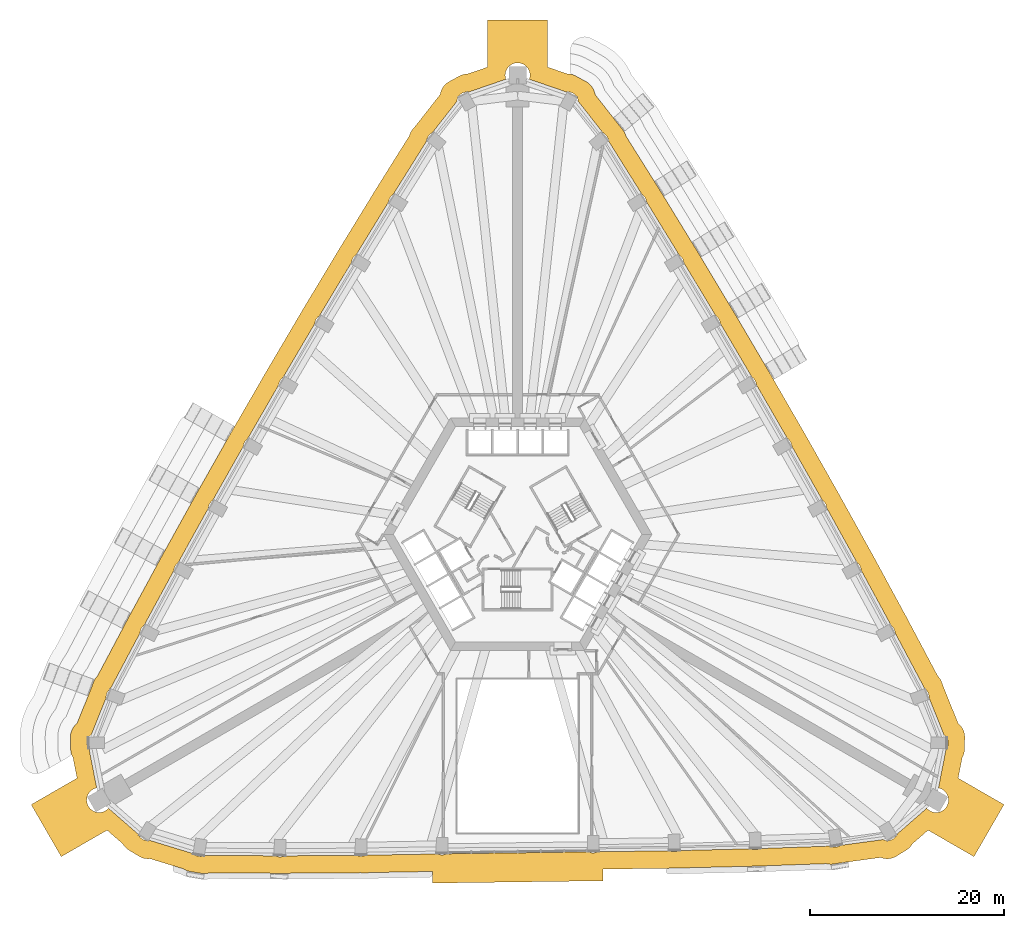
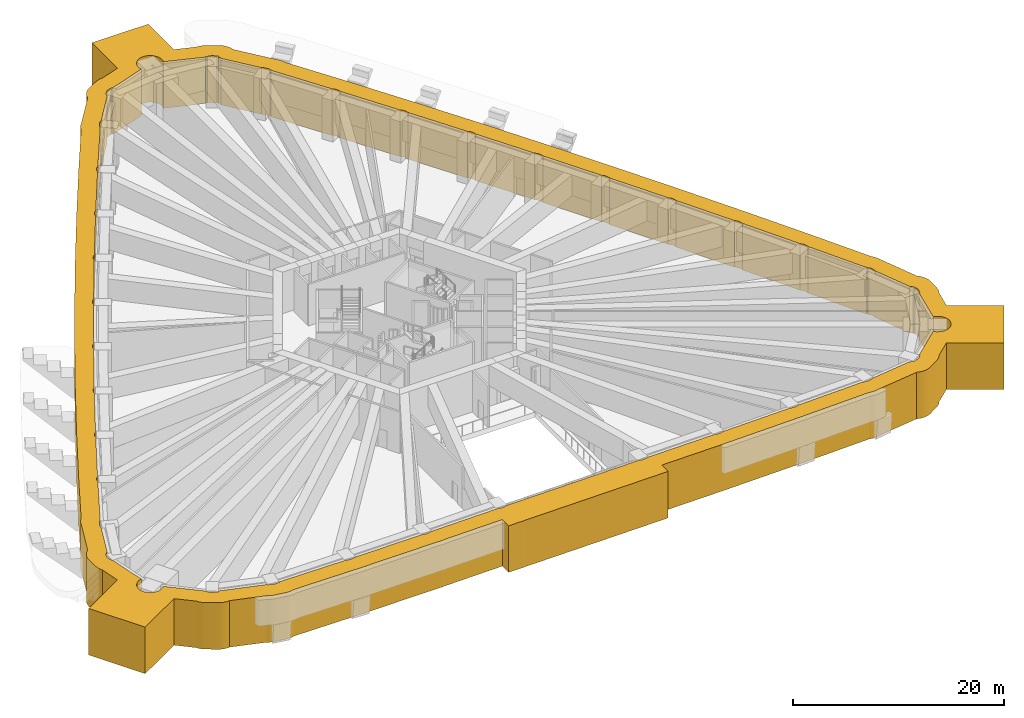
# One storey, part 18 of 21: 1 covering.
"""IFC4 building model written with IfcOpenShell, lengths in metres."""

from ifc_helpers import new_model, si_unit, direction, frame, origin, place, context, subcontext, project, spatial, polyline, outline, extrude, material, type_object, element, save


model = new_model("IFC4")

# Units and contexts
model_context = context("Model", 3, precision=1e-05, world=origin(), true_north=direction((0.0, 1.0)))
body_context = subcontext(model_context, "Body", "Model", "MODEL_VIEW")
ifc_project = project(units=[si_unit("LENGTHUNIT", "METRE"), si_unit("AREAUNIT", "SQUARE_METRE"), si_unit("VOLUMEUNIT", "CUBIC_METRE"), si_unit("PLANEANGLEUNIT", "RADIAN"), si_unit("MASSUNIT", "GRAM", prefix="KILO")], contexts=[model_context])

# Site, building, storey
site_placement = place(None, origin())
site = spatial("IfcSite", under=ifc_project, at=site_placement, CompositionType="ELEMENT")
building_placement = place(site_placement, origin())
building = spatial("IfcBuilding", under=site, at=building_placement, Name="Entoto Arch Interchange Tower", CompositionType="ELEMENT")
storey_placement = place(building_placement, frame((0.0, 0.0, 81.199951171875)))
storey = spatial("IfcBuildingStorey", under=building, at=storey_placement, Name="L17", CompositionType="ELEMENT", Elevation=81.199951171875)

# Covering
ifc_material = material(Name="Board-marked precast concrete C50/60", Category="concrete")
covering_type = type_object("IfcCoveringType", Name="PRECAST FRAME COURSE", PredefinedType="CLADDING", material=ifc_material)
covering_placement = place(storey_placement, frame((0.0, 0.0, -0.599853515625)))
element("IfcCovering", 1, at=covering_placement, inside=storey, type_object=covering_type, Name="Zone frame L17", PredefinedType="CLADDING", context=body_context, shape_type="SweptSolid", body=[
    extrude(outline(polyline([(-45.862060546875, -20.541015625), (-45.8759765625, -20.51806640625), (-45.955078125, -20.360107421875), (-46.01904296875, -20.195068359375), (-46.06591796875, -20.02490234375), (-46.094970703125, -19.85107421875), (-46.10791015625, -19.674072265625), (-46.135009765625, -18.47509765625), (-46.1298828125, -18.298095703125), (-46.10791015625, -18.123046875), (-46.069091796875, -17.950927734375), (-46.013916015625, -17.782958984375), (-45.94189453125, -17.6220703125), (-45.85400390625, -17.468017578125), (-45.751953125, -17.323974609375), (-45.636962890625, -17.18994140625), (-45.509033203125, -17.069091796875), (-45.4541015625, -17.027099609375), (-43.9580078125, -13.31005859375), (-43.757080078125, -12.77099609375), (-43.68798828125, -12.60791015625), (-43.60302734375, -12.4541015625), (-43.5029296875, -12.30810546875), (-43.388916015625, -12.173095703125), (-43.344970703125, -12.1298828125), (-40.60205078125, -6.964111328125), (-40.60009765625, -6.9599609375), (-40.037109375, -5.89990234375), (-40.029052734375, -5.885986328125), (-37.10791015625, -0.510986328125), (-37.10009765625, -0.493896484375), (-36.52587890625, 0.56005859375), (-36.51904296875, 0.572998046875), (-33.556884765625, 5.908935546875), (-33.5419921875, 5.93798828125), (-32.9580078125, 6.987060546875), (-32.951904296875, 6.9970703125), (-29.949951171875, 12.297119140625), (-29.927978515625, 12.341064453125), (-29.3330078125, 13.383056640625), (-29.327880859375, 13.39208984375), (-26.2880859375, 18.652099609375), (-26.257080078125, 18.7109375), (-25.652099609375, 19.7470703125), (-25.64794921875, 19.7529296875), (-22.571044921875, 24.972900390625), (-22.530029296875, 25.049072265625), (-21.9140625, 26.0791015625), (-21.912109375, 26.083984375), (-18.7958984375, 31.261962890625), (-18.7470703125, 31.35302734375), (-18.12109375, 32.376953125), (-18.118896484375, 32.37890625), (-14.969970703125, 37.513916015625), (-14.907958984375, 37.6240234375), (-14.27197265625, 38.64208984375), (-11.16796875, 43.60302734375), (-11.153076171875, 43.662109375), (-11.093017578125, 43.827880859375), (-11.01611328125, 43.987060546875), (-10.925048828125, 44.137939453125), (-10.819091796875, 44.280029296875), (-10.451904296875, 44.722900390625), (-7.98291015625, 47.876953125), (-7.972900390625, 47.946044921875), (-7.931884765625, 48.117919921875), (-7.8740234375, 48.284912109375), (-7.800048828125, 48.445068359375), (-7.7109375, 48.597900390625), (-7.60693359375, 48.739990234375), (-7.489990234375, 48.873046875), (-7.360107421875, 48.992919921875), (-7.218994140625, 49.09912109375), (-7.069091796875, 49.19189453125), (-6.01611328125, 49.76806640625), (-5.85693359375, 49.844970703125), (-5.69189453125, 49.906005859375), (-5.52099609375, 49.950927734375), (-5.345947265625, 49.97900390625), (-5.169921875, 49.989013671875), (-5.14990234375, 49.988037109375), (-3.10009765625, 50.69091796875), (-3.10009765625, 55.552001953125), (3.10009765625, 55.552001953125), (3.10009765625, 50.68994140625), (5.14306640625, 49.988037109375), (5.169921875, 49.989013671875), (5.345947265625, 49.97900390625), (5.52099609375, 49.950927734375), (5.69189453125, 49.906005859375), (5.85693359375, 49.844970703125), (6.01611328125, 49.76806640625), (7.069091796875, 49.19189453125), (7.218994140625, 49.09912109375), (7.360107421875, 48.992919921875), (7.489990234375, 48.873046875), (7.60693359375, 48.739990234375), (7.7109375, 48.597900390625), (7.800048828125, 48.445068359375), (7.8740234375, 48.284912109375), (7.931884765625, 48.117919921875), (7.972900390625, 47.946044921875), (7.98291015625, 47.876953125), (10.451904296875, 44.722900390625), (10.819091796875, 44.280029296875), (10.925048828125, 44.137939453125), (11.01611328125, 43.987060546875), (11.093017578125, 43.827880859375), (11.153076171875, 43.662109375), (11.16796875, 43.60302734375), (14.26904296875, 38.64599609375), (14.27197265625, 38.64208984375), (14.907958984375, 37.6240234375), (14.9169921875, 37.610107421875), (18.111083984375, 32.39111328125), (18.12109375, 32.376953125), (18.7470703125, 31.35302734375), (18.75390625, 31.341064453125), (21.89501953125, 26.10791015625), (21.9140625, 26.0791015625), (22.530029296875, 25.049072265625), (22.535888671875, 25.0390625), (25.625, 19.7880859375), (25.652099609375, 19.7470703125), (26.257080078125, 18.7109375), (26.261962890625, 18.701904296875), (29.297119140625, 13.43994140625), (29.3330078125, 13.383056640625), (29.927978515625, 12.341064453125), (29.930908203125, 12.333984375), (32.9130859375, 7.05908203125), (32.9580078125, 6.987060546875), (33.5419921875, 5.93798828125), (33.544921875, 5.93408203125), (36.470947265625, 0.64990234375), (36.52587890625, 0.56005859375), (37.10009765625, -0.493896484375), (37.10107421875, -0.4970703125), (39.97412109375, -5.7939453125), (40.037109375, -5.89990234375), (40.60009765625, -6.9599609375), (43.344970703125, -12.1298828125), (43.388916015625, -12.173095703125), (43.5029296875, -12.30810546875), (43.60302734375, -12.4541015625), (43.68798828125, -12.60791015625), (43.757080078125, -12.77099609375), (43.9580078125, -13.31005859375), (45.4541015625, -17.027099609375), (45.509033203125, -17.069091796875), (45.636962890625, -17.18994140625), (45.751953125, -17.323974609375), (45.85400390625, -17.468017578125), (45.94189453125, -17.6220703125), (46.013916015625, -17.782958984375), (46.069091796875, -17.950927734375), (46.10791015625, -18.123046875), (46.1298828125, -18.298095703125), (46.135009765625, -18.47509765625), (46.10791015625, -19.674072265625), (46.094970703125, -19.85107421875), (46.06591796875, -20.02490234375), (46.01904296875, -20.195068359375), (45.955078125, -20.360107421875), (45.8759765625, -20.51806640625), (45.865966796875, -20.534912109375), (45.449951171875, -22.660888671875), (50.178955078125, -25.39111328125), (47.0791015625, -30.760986328125), (42.34912109375, -28.030029296875), (40.718994140625, -29.447998046875), (40.7060546875, -29.471923828125), (40.60888671875, -29.6201171875), (40.498046875, -29.757080078125), (40.3740234375, -29.883056640625), (40.238037109375, -29.9951171875), (40.092041015625, -30.094970703125), (39.06591796875, -30.718017578125), (38.910888671875, -30.802001953125), (38.748046875, -30.87109375), (38.5791015625, -30.923095703125), (38.406005859375, -30.9580078125), (38.23095703125, -30.97705078125), (38.053955078125, -30.97802734375), (37.8779296875, -30.9619140625), (37.705078125, -30.927978515625), (37.534912109375, -30.8779296875), (37.4560546875, -30.845947265625), (33.181884765625, -31.427001953125), (32.618896484375, -31.52197265625), (32.444091796875, -31.54296875), (32.26708984375, -31.5458984375), (32.091064453125, -31.532958984375), (31.9169921875, -31.501953125), (31.85693359375, -31.485107421875), (25.212890625, -31.715087890625), (25.199951171875, -31.716064453125), (24.0009765625, -31.756103515625), (23.98291015625, -31.757080078125), (16.841064453125, -31.927001953125), (16.81005859375, -31.928955078125), (15.610107421875, -31.9560546875), (15.594970703125, -31.9560546875), (8.800048828125, -32.049072265625), (8.800048828125, -33.2490234375), (8.508056640625, -33.2529296875), (8.425048828125, -33.258056640625), (7.8330078125, -33.262939453125), (-6.89697265625, -33.4609375), (-6.929931640625, -33.466064453125), (-7.22509765625, -33.47802734375), (-7.785888671875, -33.472900390625), (-8.800048828125, -33.490966796875), (-8.800048828125, -32.291015625), (-15.25, -32.403076171875), (-15.258056640625, -32.405029296875), (-15.43310546875, -32.427001953125), (-15.610107421875, -32.431884765625), (-16.18310546875, -32.4189453125), (-23.635986328125, -32.472900390625), (-23.64892578125, -32.47509765625), (-23.823974609375, -32.4951171875), (-24.0009765625, -32.498046875), (-24.576904296875, -32.47900390625), (-31.7548828125, -32.424072265625), (-31.9169921875, -32.469970703125), (-32.091064453125, -32.5009765625), (-32.26708984375, -32.513916015625), (-32.444091796875, -32.510986328125), (-32.618896484375, -32.489990234375), (-33.802978515625, -32.2900390625), (-33.97509765625, -32.251953125), (-34.14306640625, -32.197021484375), (-34.304931640625, -32.1259765625), (-34.458984375, -32.0400390625), (-34.4970703125, -32.012939453125), (-37.931884765625, -30.967041015625), (-38.053955078125, -30.97802734375), (-38.23095703125, -30.97705078125), (-38.406005859375, -30.9580078125), (-38.5791015625, -30.923095703125), (-38.748046875, -30.87109375), (-38.910888671875, -30.802001953125), (-39.06591796875, -30.718017578125), (-40.092041015625, -30.094970703125), (-40.238037109375, -29.9951171875), (-40.3740234375, -29.883056640625), (-40.498046875, -29.757080078125), (-40.60888671875, -29.6201171875), (-40.7060546875, -29.471923828125), (-40.715087890625, -29.455078125), (-42.35009765625, -28.030029296875), (-47.0791015625, -30.760986328125), (-50.178955078125, -25.39111328125), (-45.448974609375, -22.659912109375), (-45.862060546875, -20.541015625)]), holes=[polyline([(-39.114013671875, -28.4580078125), (-39.10791015625, -28.47607421875), (-39.156982421875, -28.555908203125), (-39.02490234375, -28.635986328125), (-39.012939453125, -28.656982421875), (-38.9541015625, -28.737060546875), (-38.887939453125, -28.81005859375), (-38.81494140625, -28.8759765625), (-38.735107421875, -28.93505859375), (-38.65087890625, -28.985107421875), (-38.56201171875, -29.027099609375), (-38.468994140625, -29.06103515625), (-38.373046875, -29.0849609375), (-38.27587890625, -29.09912109375), (-38.262939453125, -29.10009765625), (-38.131103515625, -29.179931640625), (-38.08203125, -29.09912109375), (-38.077880859375, -29.09912109375), (-37.98095703125, -29.0849609375), (-37.955078125, -29.077880859375), (-33.489990234375, -30.43896484375), (-33.5029296875, -30.514892578125), (-33.35009765625, -30.541015625), (-33.319091796875, -30.56396484375), (-33.235107421875, -30.614013671875), (-33.14599609375, -30.656005859375), (-33.052978515625, -30.68994140625), (-32.95703125, -30.714111328125), (-32.860107421875, -30.72802734375), (-32.760986328125, -30.73291015625), (-32.662109375, -30.72802734375), (-32.56494140625, -30.714111328125), (-32.468994140625, -30.68994140625), (-32.468994140625, -30.68994140625), (-32.319091796875, -30.715087890625), (-32.303955078125, -30.6220703125), (-32.299072265625, -30.6201171875), (-24.964111328125, -30.676025390625), (-24.89501953125, -30.7080078125), (-24.802001953125, -30.741943359375), (-24.7060546875, -30.76611328125), (-24.60888671875, -30.780029296875), (-24.510009765625, -30.784912109375), (-24.410888671875, -30.780029296875), (-24.31396484375, -30.76611328125), (-24.218017578125, -30.741943359375), (-24.125, -30.7080078125), (-24.094970703125, -30.694091796875), (-23.93994140625, -30.698974609375), (-23.93994140625, -30.675048828125), (-16.589111328125, -30.6220703125), (-16.534912109375, -30.64697265625), (-16.44189453125, -30.680908203125), (-16.345947265625, -30.705078125), (-16.2490234375, -30.718994140625), (-16.14990234375, -30.72412109375), (-16.051025390625, -30.718994140625), (-15.9541015625, -30.705078125), (-15.85791015625, -30.680908203125), (-15.764892578125, -30.64697265625), (-15.72607421875, -30.62890625), (-15.570068359375, -30.632080078125), (-15.570068359375, -30.60888671875), (-8.221923828125, -30.47998046875), (-8.177978515625, -30.5009765625), (-8.0849609375, -30.534912109375), (-7.989013671875, -30.55908203125), (-7.89208984375, -30.572998046875), (-7.79296875, -30.577880859375), (-7.694091796875, -30.572998046875), (-7.596923828125, -30.55908203125), (-7.5009765625, -30.534912109375), (-7.407958984375, -30.5009765625), (-7.35595703125, -30.47705078125), (-7.199951171875, -30.47802734375), (-7.199951171875, -30.465087890625), (7.361083984375, -30.26904296875), (7.407958984375, -30.291015625), (7.5009765625, -30.324951171875), (7.596923828125, -30.34912109375), (7.694091796875, -30.363037109375), (7.79296875, -30.367919921875), (7.89208984375, -30.363037109375), (7.989013671875, -30.34912109375), (8.0849609375, -30.324951171875), (8.177978515625, -30.291015625), (8.24609375, -30.259033203125), (8.39990234375, -30.258056640625), (8.39990234375, -30.25390625), (15.570068359375, -30.152099609375), (15.570068359375, -30.156005859375), (15.72607421875, -30.153076171875), (15.764892578125, -30.1708984375), (15.85791015625, -30.205078125), (15.9541015625, -30.22900390625), (16.051025390625, -30.242919921875), (16.14990234375, -30.248046875), (16.2490234375, -30.242919921875), (16.345947265625, -30.22900390625), (16.44189453125, -30.205078125), (16.534912109375, -30.1708984375), (16.615966796875, -30.133056640625), (16.77001953125, -30.1298828125), (16.77001953125, -30.1279296875), (23.93994140625, -29.951904296875), (23.93994140625, -29.95703125), (24.094970703125, -29.951904296875), (24.125, -29.966064453125), (24.218017578125, -30.0), (24.31396484375, -30.02392578125), (24.410888671875, -30.0380859375), (24.510009765625, -30.04296875), (24.60888671875, -30.0380859375), (24.7060546875, -30.02392578125), (24.802001953125, -30.0), (24.89501953125, -29.966064453125), (24.98388671875, -29.924072265625), (24.988037109375, -29.922119140625), (25.139892578125, -29.9169921875), (25.139892578125, -29.916015625), (32.305908203125, -29.66796875), (32.319091796875, -29.7470703125), (32.468994140625, -29.721923828125), (32.468994140625, -29.721923828125), (32.56494140625, -29.74609375), (32.662109375, -29.760009765625), (32.760986328125, -29.764892578125), (32.860107421875, -29.760009765625), (32.95703125, -29.74609375), (33.052978515625, -29.721923828125), (33.14599609375, -29.68798828125), (33.235107421875, -29.64599609375), (33.319091796875, -29.595947265625), (33.325927734375, -29.591064453125), (37.719970703125, -28.992919921875), (37.7919921875, -29.027099609375), (37.885009765625, -29.06103515625), (37.98095703125, -29.0849609375), (38.077880859375, -29.09912109375), (38.08203125, -29.09912109375), (38.131103515625, -29.179931640625), (38.262939453125, -29.10009765625), (38.27587890625, -29.09912109375), (38.373046875, -29.0849609375), (38.468994140625, -29.06103515625), (38.56201171875, -29.027099609375), (38.65087890625, -28.985107421875), (38.735107421875, -28.93505859375), (38.81494140625, -28.8759765625), (38.887939453125, -28.81005859375), (38.9541015625, -28.737060546875), (39.012939453125, -28.656982421875), (39.02490234375, -28.635986328125), (39.156982421875, -28.555908203125), (39.10791015625, -28.47607421875), (39.114013671875, -28.4580078125), (42.2099609375, -25.763916015625), (42.26904296875, -25.830078125), (42.362060546875, -25.9140625), (42.462890625, -25.988037109375), (42.571044921875, -26.052978515625), (42.68408203125, -26.10693359375), (42.802001953125, -26.14892578125), (42.924072265625, -26.178955078125), (43.048095703125, -26.197998046875), (43.173095703125, -26.2041015625), (43.298095703125, -26.197998046875), (43.422119140625, -26.178955078125), (43.5439453125, -26.14892578125), (43.662109375, -26.10693359375), (43.77490234375, -26.052978515625), (43.883056640625, -25.988037109375), (43.98388671875, -25.9140625), (44.076904296875, -25.830078125), (44.160888671875, -25.737060546875), (44.235107421875, -25.635986328125), (44.300048828125, -25.528076171875), (44.35400390625, -25.4150390625), (44.39599609375, -25.297119140625), (44.426025390625, -25.175048828125), (44.445068359375, -25.051025390625), (44.450927734375, -24.926025390625), (44.445068359375, -24.801025390625), (44.426025390625, -24.677001953125), (44.39599609375, -24.554931640625), (44.35400390625, -24.43701171875), (44.300048828125, -24.323974609375), (44.235107421875, -24.216064453125), (44.160888671875, -24.114990234375), (44.076904296875, -24.02197265625), (43.98388671875, -23.93798828125), (43.883056640625, -23.864013671875), (43.77490234375, -23.799072265625), (43.662109375, -23.7451171875), (43.5439453125, -23.702880859375), (43.422119140625, -23.673095703125), (43.41796875, -23.672119140625), (44.202880859375, -19.64697265625), (44.214111328125, -19.632080078125), (44.30810546875, -19.634033203125), (44.31201171875, -19.47998046875), (44.35009765625, -19.39892578125), (44.384033203125, -19.305908203125), (44.407958984375, -19.2099609375), (44.422119140625, -19.113037109375), (44.427001953125, -19.013916015625), (44.422119140625, -18.9150390625), (44.407958984375, -18.818115234375), (44.384033203125, -18.721923828125), (44.35009765625, -18.62890625), (44.33203125, -18.590087890625), (44.3359375, -18.43408203125), (44.239990234375, -18.431884765625), (44.198974609375, -18.3759765625), (44.133056640625, -18.302978515625), (44.06005859375, -18.237060546875), (43.97998046875, -18.177978515625), (43.97705078125, -18.176025390625), (42.43603515625, -14.35009765625), (42.43994140625, -14.27294921875), (42.43505859375, -14.174072265625), (42.4208984375, -14.076904296875), (42.39697265625, -13.98095703125), (42.363037109375, -13.887939453125), (42.321044921875, -13.799072265625), (42.27099609375, -13.715087890625), (42.2119140625, -13.635009765625), (42.14599609375, -13.56201171875), (42.1240234375, -13.54296875), (42.070068359375, -13.39794921875), (41.9951171875, -13.425048828125), (39.010009765625, -7.804931640625), (39.010986328125, -7.804931640625), (38.93798828125, -7.6669921875), (38.93408203125, -7.597900390625), (38.919921875, -7.5009765625), (38.89599609375, -7.405029296875), (38.862060546875, -7.31201171875), (38.820068359375, -7.222900390625), (38.77001953125, -7.138916015625), (38.7109375, -7.05908203125), (38.64501953125, -6.986083984375), (38.572021484375, -6.919921875), (38.52001953125, -6.882080078125), (38.447021484375, -6.7451171875), (38.443115234375, -6.748046875), (35.51806640625, -1.35498046875), (35.51904296875, -1.35498046875), (35.445068359375, -1.218994140625), (35.44189453125, -1.158935546875), (35.427978515625, -1.06201171875), (35.404052734375, -0.966064453125), (35.3701171875, -0.873046875), (35.327880859375, -0.783935546875), (35.278076171875, -0.699951171875), (35.218994140625, -0.6201171875), (35.153076171875, -0.547119140625), (35.080078125, -0.48095703125), (35.01904296875, -0.43603515625), (34.945068359375, -0.301025390625), (34.94091796875, -0.302978515625), (31.968994140625, 5.06103515625), (31.969970703125, 5.06201171875), (31.89501953125, 5.197998046875), (31.89208984375, 5.2470703125), (31.8779296875, 5.343994140625), (31.85400390625, 5.43994140625), (31.820068359375, 5.532958984375), (31.778076171875, 5.6220703125), (31.72802734375, 5.7060546875), (31.6689453125, 5.785888671875), (31.60302734375, 5.85888671875), (31.530029296875, 5.925048828125), (31.4609375, 5.97607421875), (31.385986328125, 6.110107421875), (31.383056640625, 6.10791015625), (28.362060546875, 11.447998046875), (28.364013671875, 11.448974609375), (28.287109375, 11.583984375), (28.284912109375, 11.623046875), (28.27099609375, 11.719970703125), (28.2470703125, 11.81591796875), (28.212890625, 11.908935546875), (28.1708984375, 11.998046875), (28.12109375, 12.08203125), (28.06201171875, 12.162109375), (27.99609375, 12.235107421875), (27.923095703125, 12.301025390625), (27.845947265625, 12.35791015625), (27.77001953125, 12.490966796875), (27.76708984375, 12.489990234375), (24.699951171875, 17.801025390625), (24.702880859375, 17.802978515625), (24.625, 17.93603515625), (24.623046875, 17.966064453125), (24.60888671875, 18.06298828125), (24.5849609375, 18.158935546875), (24.551025390625, 18.251953125), (24.509033203125, 18.341064453125), (24.458984375, 18.425048828125), (24.39990234375, 18.5048828125), (24.333984375, 18.577880859375), (24.260986328125, 18.64404296875), (24.180908203125, 18.702880859375), (24.175048828125, 18.70703125), (24.096923828125, 18.839111328125), (24.094970703125, 18.837890625), (20.98193359375, 24.1240234375), (20.985107421875, 24.1259765625), (20.905029296875, 24.259033203125), (20.904052734375, 24.278076171875), (20.889892578125, 24.375), (20.865966796875, 24.470947265625), (20.83203125, 24.56396484375), (20.7900390625, 24.653076171875), (20.739990234375, 24.737060546875), (20.680908203125, 24.81689453125), (20.614990234375, 24.889892578125), (20.5419921875, 24.9560546875), (20.4619140625, 25.014892578125), (20.448974609375, 25.02294921875), (20.368896484375, 25.156005859375), (20.367919921875, 25.155029296875), (17.20703125, 30.412109375), (17.2109375, 30.4140625), (17.131103515625, 30.544921875), (17.1298828125, 30.555908203125), (17.115966796875, 30.653076171875), (17.092041015625, 30.7490234375), (17.05810546875, 30.842041015625), (17.01611328125, 30.930908203125), (16.966064453125, 31.014892578125), (16.906982421875, 31.094970703125), (16.841064453125, 31.16796875), (16.76806640625, 31.23388671875), (16.68798828125, 31.29296875), (16.666015625, 31.305908203125), (16.5849609375, 31.43798828125), (16.583984375, 31.43798828125), (13.3779296875, 36.6669921875), (13.382080078125, 36.669921875), (13.301025390625, 36.800048828125), (13.301025390625, 36.801025390625), (13.287109375, 36.89794921875), (13.262939453125, 36.993896484375), (13.22900390625, 37.0869140625), (13.18701171875, 37.176025390625), (13.136962890625, 37.260009765625), (13.077880859375, 37.340087890625), (13.011962890625, 37.4130859375), (12.93896484375, 37.47900390625), (12.85888671875, 37.5380859375), (12.827880859375, 37.555908203125), (12.74609375, 37.68798828125), (12.74609375, 37.68798828125), (9.37109375, 43.0810546875), (9.43310546875, 43.132080078125), (9.333984375, 43.2509765625), (9.319091796875, 43.31201171875), (9.284912109375, 43.405029296875), (9.242919921875, 43.493896484375), (9.193115234375, 43.577880859375), (9.134033203125, 43.657958984375), (9.068115234375, 43.73095703125), (8.9951171875, 43.797119140625), (8.9150390625, 43.85595703125), (8.8310546875, 43.906005859375), (8.791015625, 43.925048828125), (6.248046875, 47.173095703125), (6.24609375, 47.2109375), (6.23193359375, 47.30810546875), (6.2080078125, 47.404052734375), (6.174072265625, 47.4970703125), (6.158935546875, 47.530029296875), (6.2041015625, 47.613037109375), (6.070068359375, 47.68701171875), (6.02294921875, 47.75), (5.95703125, 47.822998046875), (5.884033203125, 47.888916015625), (5.803955078125, 47.947998046875), (5.719970703125, 47.998046875), (5.631103515625, 48.0400390625), (5.5380859375, 48.073974609375), (5.44189453125, 48.097900390625), (5.344970703125, 48.112060546875), (5.287109375, 48.114990234375), (5.152099609375, 48.18896484375), (5.10595703125, 48.10595703125), (5.089111328125, 48.10302734375), (1.20703125, 49.43701171875), (1.222900390625, 49.48095703125), (1.2529296875, 49.60302734375), (1.27197265625, 49.72705078125), (1.278076171875, 49.85205078125), (1.27197265625, 49.97705078125), (1.2529296875, 50.10107421875), (1.222900390625, 50.222900390625), (1.180908203125, 50.341064453125), (1.126953125, 50.4541015625), (1.06201171875, 50.56201171875), (0.988037109375, 50.6630859375), (0.904052734375, 50.756103515625), (0.81103515625, 50.840087890625), (0.7099609375, 50.9140625), (0.60205078125, 50.97900390625), (0.489013671875, 51.032958984375), (0.37109375, 51.074951171875), (0.2490234375, 51.10498046875), (0.125, 51.1240234375), (0.0, 51.1298828125), (-0.125, 51.1240234375), (-0.2490234375, 51.10498046875), (-0.37109375, 51.074951171875), (-0.489013671875, 51.032958984375), (-0.60205078125, 50.97900390625), (-0.7099609375, 50.9140625), (-0.81103515625, 50.840087890625), (-0.904052734375, 50.756103515625), (-0.988037109375, 50.6630859375), (-1.06201171875, 50.56201171875), (-1.126953125, 50.4541015625), (-1.180908203125, 50.341064453125), (-1.222900390625, 50.222900390625), (-1.2529296875, 50.10107421875), (-1.27197265625, 49.97705078125), (-1.278076171875, 49.85205078125), (-1.27197265625, 49.72705078125), (-1.2529296875, 49.60302734375), (-1.222900390625, 49.48095703125), (-1.20703125, 49.43701171875), (-5.089111328125, 48.10302734375), (-5.10595703125, 48.10595703125), (-5.152099609375, 48.18896484375), (-5.287109375, 48.114990234375), (-5.344970703125, 48.112060546875), (-5.44189453125, 48.097900390625), (-5.5380859375, 48.073974609375), (-5.631103515625, 48.0400390625), (-5.719970703125, 47.998046875), (-5.803955078125, 47.947998046875), (-5.884033203125, 47.888916015625), (-5.95703125, 47.822998046875), (-6.02294921875, 47.75), (-6.070068359375, 47.68701171875), (-6.2041015625, 47.613037109375), (-6.158935546875, 47.530029296875), (-6.174072265625, 47.4970703125), (-6.2080078125, 47.404052734375), (-6.23193359375, 47.30810546875), (-6.24609375, 47.2109375), (-6.248046875, 47.173095703125), (-8.791015625, 43.925048828125), (-8.8310546875, 43.906005859375), (-8.9150390625, 43.85595703125), (-8.9951171875, 43.797119140625), (-9.068115234375, 43.73095703125), (-9.134033203125, 43.657958984375), (-9.193115234375, 43.577880859375), (-9.242919921875, 43.493896484375), (-9.284912109375, 43.405029296875), (-9.319091796875, 43.31201171875), (-9.333984375, 43.2509765625), (-9.43310546875, 43.132080078125), (-9.37109375, 43.0810546875), (-12.74609375, 37.68798828125), (-12.74609375, 37.68798828125), (-12.827880859375, 37.555908203125), (-12.85888671875, 37.5380859375), (-12.93896484375, 37.47900390625), (-13.011962890625, 37.4130859375), (-13.077880859375, 37.340087890625), (-13.136962890625, 37.260009765625), (-13.18701171875, 37.176025390625), (-13.22900390625, 37.0869140625), (-13.262939453125, 36.993896484375), (-13.287109375, 36.89794921875), (-13.301025390625, 36.801025390625), (-13.301025390625, 36.800048828125), (-13.382080078125, 36.669921875), (-13.3779296875, 36.6669921875), (-16.583984375, 31.43798828125), (-16.5849609375, 31.43798828125), (-16.666015625, 31.305908203125), (-16.68798828125, 31.29296875), (-16.76806640625, 31.23388671875), (-16.841064453125, 31.16796875), (-16.906982421875, 31.094970703125), (-16.966064453125, 31.014892578125), (-17.01611328125, 30.930908203125), (-17.05810546875, 30.842041015625), (-17.092041015625, 30.7490234375), (-17.115966796875, 30.653076171875), (-17.1298828125, 30.555908203125), (-17.131103515625, 30.544921875), (-17.2109375, 30.4140625), (-17.20703125, 30.412109375), (-20.367919921875, 25.155029296875), (-20.368896484375, 25.156005859375), (-20.448974609375, 25.02294921875), (-20.4619140625, 25.014892578125), (-20.5419921875, 24.9560546875), (-20.614990234375, 24.889892578125), (-20.680908203125, 24.81689453125), (-20.739990234375, 24.737060546875), (-20.7900390625, 24.653076171875), (-20.83203125, 24.56396484375), (-20.865966796875, 24.470947265625), (-20.889892578125, 24.375), (-20.904052734375, 24.278076171875), (-20.905029296875, 24.259033203125), (-20.985107421875, 24.1259765625), (-20.98193359375, 24.1240234375), (-24.094970703125, 18.837890625), (-24.096923828125, 18.839111328125), (-24.175048828125, 18.70703125), (-24.180908203125, 18.702880859375), (-24.260986328125, 18.64404296875), (-24.333984375, 18.577880859375), (-24.39990234375, 18.5048828125), (-24.458984375, 18.425048828125), (-24.509033203125, 18.341064453125), (-24.551025390625, 18.251953125), (-24.5849609375, 18.158935546875), (-24.60888671875, 18.06298828125), (-24.623046875, 17.966064453125), (-24.625, 17.93603515625), (-24.702880859375, 17.802978515625), (-24.699951171875, 17.801025390625), (-27.76708984375, 12.489990234375), (-27.77001953125, 12.490966796875), (-27.845947265625, 12.35791015625), (-27.923095703125, 12.301025390625), (-27.99609375, 12.235107421875), (-28.06201171875, 12.162109375), (-28.12109375, 12.08203125), (-28.1708984375, 11.998046875), (-28.212890625, 11.908935546875), (-28.2470703125, 11.81591796875), (-28.27099609375, 11.719970703125), (-28.284912109375, 11.623046875), (-28.287109375, 11.583984375), (-28.364013671875, 11.448974609375), (-28.362060546875, 11.447998046875), (-31.383056640625, 6.10791015625), (-31.385986328125, 6.110107421875), (-31.4609375, 5.97607421875), (-31.530029296875, 5.925048828125), (-31.60302734375, 5.85888671875), (-31.6689453125, 5.785888671875), (-31.72802734375, 5.7060546875), (-31.778076171875, 5.6220703125), (-31.820068359375, 5.532958984375), (-31.85400390625, 5.43994140625), (-31.8779296875, 5.343994140625), (-31.89208984375, 5.2470703125), (-31.89501953125, 5.197998046875), (-31.969970703125, 5.06201171875), (-31.968994140625, 5.06103515625), (-34.94091796875, -0.302978515625), (-34.945068359375, -0.301025390625), (-35.01904296875, -0.43603515625), (-35.080078125, -0.48095703125), (-35.153076171875, -0.547119140625), (-35.218994140625, -0.6201171875), (-35.278076171875, -0.699951171875), (-35.327880859375, -0.783935546875), (-35.3701171875, -0.873046875), (-35.404052734375, -0.966064453125), (-35.427978515625, -1.06201171875), (-35.44189453125, -1.158935546875), (-35.445068359375, -1.218994140625), (-35.51904296875, -1.35498046875), (-35.51806640625, -1.35498046875), (-38.443115234375, -6.748046875), (-38.447021484375, -6.7451171875), (-38.52001953125, -6.882080078125), (-38.572021484375, -6.919921875), (-38.64501953125, -6.986083984375), (-38.7109375, -7.05908203125), (-38.77001953125, -7.138916015625), (-38.820068359375, -7.222900390625), (-38.862060546875, -7.31201171875), (-38.89599609375, -7.405029296875), (-38.919921875, -7.5009765625), (-38.93408203125, -7.597900390625), (-38.93798828125, -7.6669921875), (-39.010986328125, -7.804931640625), (-39.010009765625, -7.804931640625), (-41.9951171875, -13.425048828125), (-42.070068359375, -13.39794921875), (-42.1240234375, -13.54296875), (-42.14599609375, -13.56201171875), (-42.2119140625, -13.635009765625), (-42.27099609375, -13.715087890625), (-42.321044921875, -13.799072265625), (-42.363037109375, -13.887939453125), (-42.39697265625, -13.98095703125), (-42.4208984375, -14.076904296875), (-42.43505859375, -14.174072265625), (-42.43994140625, -14.27294921875), (-42.43603515625, -14.35009765625), (-43.97705078125, -18.176025390625), (-43.97998046875, -18.177978515625), (-44.06005859375, -18.237060546875), (-44.133056640625, -18.302978515625), (-44.198974609375, -18.3759765625), (-44.239990234375, -18.431884765625), (-44.3359375, -18.43408203125), (-44.33203125, -18.590087890625), (-44.35009765625, -18.62890625), (-44.384033203125, -18.721923828125), (-44.407958984375, -18.818115234375), (-44.422119140625, -18.9150390625), (-44.427001953125, -19.013916015625), (-44.422119140625, -19.113037109375), (-44.407958984375, -19.2099609375), (-44.384033203125, -19.305908203125), (-44.35009765625, -19.39892578125), (-44.31201171875, -19.47998046875), (-44.30810546875, -19.634033203125), (-44.214111328125, -19.632080078125), (-44.202880859375, -19.64697265625), (-43.41796875, -23.672119140625), (-43.422119140625, -23.673095703125), (-43.5439453125, -23.702880859375), (-43.662109375, -23.7451171875), (-43.77490234375, -23.799072265625), (-43.883056640625, -23.864013671875), (-43.98388671875, -23.93798828125), (-44.076904296875, -24.02197265625), (-44.160888671875, -24.114990234375), (-44.235107421875, -24.216064453125), (-44.300048828125, -24.323974609375), (-44.35400390625, -24.43701171875), (-44.39599609375, -24.554931640625), (-44.426025390625, -24.677001953125), (-44.445068359375, -24.801025390625), (-44.450927734375, -24.926025390625), (-44.445068359375, -25.051025390625), (-44.426025390625, -25.175048828125), (-44.39599609375, -25.297119140625), (-44.35400390625, -25.4150390625), (-44.300048828125, -25.528076171875), (-44.235107421875, -25.635986328125), (-44.160888671875, -25.737060546875), (-44.076904296875, -25.830078125), (-43.98388671875, -25.9140625), (-43.883056640625, -25.988037109375), (-43.77490234375, -26.052978515625), (-43.662109375, -26.10693359375), (-43.5439453125, -26.14892578125), (-43.422119140625, -26.178955078125), (-43.298095703125, -26.197998046875), (-43.173095703125, -26.2041015625), (-43.048095703125, -26.197998046875), (-42.924072265625, -26.178955078125), (-42.802001953125, -26.14892578125), (-42.68408203125, -26.10693359375), (-42.571044921875, -26.052978515625), (-42.462890625, -25.988037109375), (-42.362060546875, -25.9140625), (-42.26904296875, -25.830078125), (-42.2099609375, -25.763916015625), (-39.114013671875, -28.4580078125)])]), origin(), (0.0, 0.0, 1.0), 5.39990234375),
])

save(model, "model.ifc")
